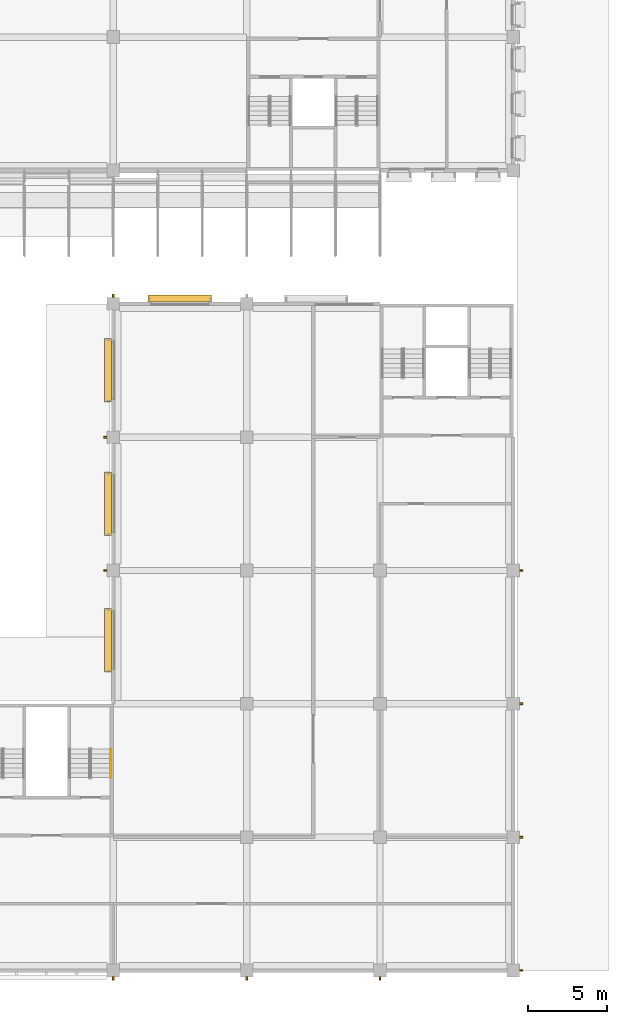
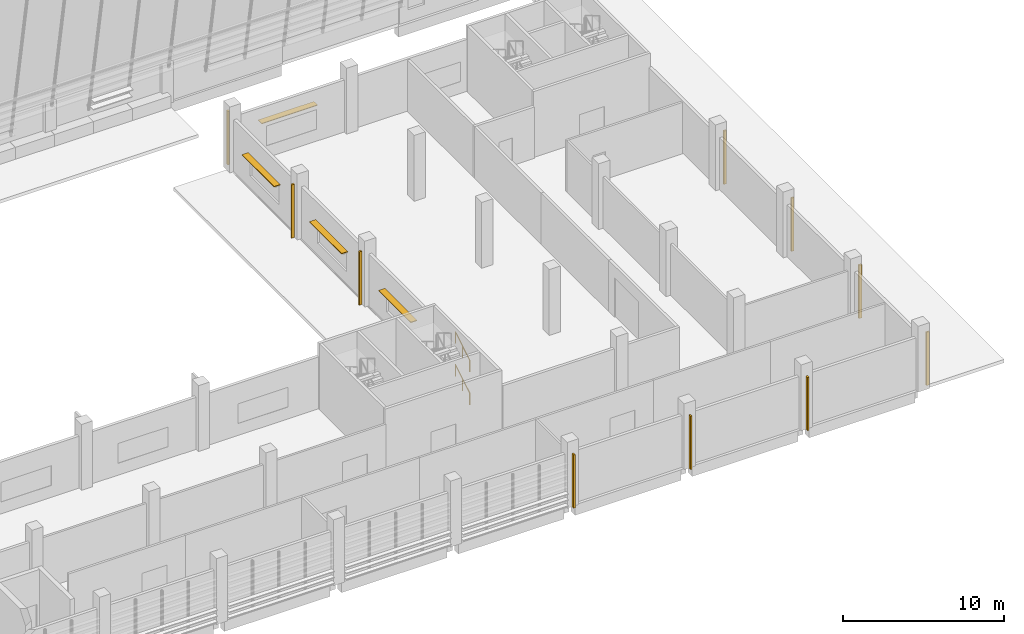
# One storey, part 93 of 101: 14 shading devices, 2 railings.
"""IFC4 building model written with IfcOpenShell, lengths in metres."""

from ifc_helpers import new_model, si_unit, direction, frame, origin, origin_2d, place, context, subcontext, project, spatial, rectangle, circle, extrude, material, material_profile, profile_set, type_object, element, save


model = new_model("IFC4")

# Units and contexts
model_context = context("Model", 3, precision=1e-05, world=origin(), true_north=direction((0.0, 1.0)))
body_context = subcontext(model_context, "Body", "Model", "MODEL_VIEW")
ifc_project = project(units=[si_unit("LENGTHUNIT", "METRE"), si_unit("AREAUNIT", "SQUARE_METRE"), si_unit("VOLUMEUNIT", "CUBIC_METRE"), si_unit("PLANEANGLEUNIT", "RADIAN"), si_unit("MASSUNIT", "GRAM", prefix="KILO")], contexts=[model_context])

# Site, building, storey
site_placement = place(None, origin())
site = spatial("IfcSite", under=ifc_project, at=site_placement, CompositionType="ELEMENT")
building_placement = place(site_placement, origin())
building = spatial("IfcBuilding", under=site, at=building_placement, Name="Almond Square Museum", CompositionType="ELEMENT")
storey_placement = place(building_placement, frame((0.0, 0.0, 5.5)))
storey = spatial("IfcBuildingStorey", under=building, at=storey_placement, Name="L01", CompositionType="ELEMENT", Elevation=5.5)

# Railings
ifc_material_1 = material(Name="Stainless steel", Category="steel")
railing_type = type_object("IfcRailingType", Name="Stair handrail 900 steel", PredefinedType="HANDRAIL", material=ifc_material_1)
for number, where, name in (
    (1, (131.844970703125, 12.14990234375, 0.178466796875), "L01 ST-32 stair handrail 1"),
    (2, (131.844970703125, 12.14990234375, 2.678466796875), "L01 ST-32 stair handrail 3"),
):
    element("IfcRailing", number, at=place(storey_placement, frame(where)), inside=storey, type_object=railing_type, Name=name, PredefinedType="HANDRAIL", context=body_context, shape_type="SweptSolid", body=[
        extrude(circle(Radius=0.02392578125, at=origin_2d()), frame((0.0, 0.0, 0.8759765625), z_axis=(0.0, 0.859277029364, 0.511510495305), x_axis=(-1.0, 0.0, 0.0)), (0.0, 0.0, 1.0), 2.0947265625),
        extrude(circle(Radius=0.02099609375, at=origin_2d()), origin(), (0.0, 0.0, 1.0), 0.851806640625),
        extrude(circle(Radius=0.02099609375, at=origin_2d()), frame((0.0, 0.89990234375, 0.53564453125)), (0.0, 0.0, 1.0), 0.851806640625),
        extrude(circle(Radius=0.02099609375, at=origin_2d()), frame((0.0, 1.800048828125, 1.071533203125)), (0.0, 0.0, 1.0), 0.851806640625),
    ])

# Shading devices
ifc_material_2 = material(Name="Anodised aluminium", Category="aluminium")
ifc_material_profile_1 = material_profile(ifc_material_2, rectangle(XDim=0.449951171875, YDim=0.050048828125, at=origin_2d()))
ifc_profile_set_1 = profile_set([ifc_material_profile_1], Name="Anodised aluminium")
shading_device_type_1 = type_object("IfcShadingDeviceType", Name="Sun-shade blade 450 x 50", PredefinedType="USERDEFINED", material=ifc_profile_set_1)
for number, where, z_axis, x_axis, name in (
    (3, (134.199951171875, 42.3330078125, 2.52001953125), (1.0, 0.0, 0.0), (0.0, 1.0, 0.0), "Sun-shade blade"),
    (4, (131.6669921875, 35.800048828125, 2.52001953125), (0.0, 1.0, 0.0), (-1.0, 0.0, 0.0), "Sun-shade blade"),
    (5, (131.6669921875, 27.39990234375, 2.52001953125), (0.0, 1.0, 0.0), (-1.0, 0.0, 0.0), "Sun-shade blade"),
    (6, (131.6669921875, 18.800048828125, 2.52001953125), (0.0, 1.0, 0.0), (-1.0, 0.0, 0.0), "Sun-shade blade"),
):
    element("IfcShadingDevice", number, at=place(storey_placement, frame(where, z_axis=z_axis, x_axis=x_axis)), inside=storey, type_object=shading_device_type_1, Name=name, ObjectType="LOUVRE", PredefinedType="USERDEFINED", context=body_context, shape_type="SweptSolid", body=[
        extrude(rectangle(XDim=0.449951171875, YDim=0.050048828125, at=origin_2d()), origin(), (0.0, 0.0, 1.0), 4.0),
    ])
ifc_material_3 = material(Name="Anodised aluminium", Category="aluminium")
ifc_material_profile_2 = material_profile(ifc_material_3, rectangle(XDim=0.199951171875, YDim=0.1201171875, at=origin_2d()))
ifc_profile_set_2 = profile_set([ifc_material_profile_2], Name="Anodised aluminium")
shading_device_type_2 = type_object("IfcShadingDeviceType", Name="Vertical aluminium fin 200 x 120", PredefinedType="USERDEFINED", material=ifc_profile_set_2)
for number, where, z_axis, x_axis, name in (
    (7, (132.0, -0.498046875, 0.0), (0.0, 0.0, 1.0), (0.0, -1.0, 0.0), "Vertical fin V5E L01 S01"),
    (8, (140.39990234375, -0.498046875, 0.0), (0.0, 0.0, 1.0), (0.0, -1.0, 0.0), "Vertical fin V5E L01 S02"),
    (9, (148.800048828125, -0.498046875, 0.0), (0.0, 0.0, 1.0), (0.0, -1.0, 0.0), "Vertical fin V5E L01 S03"),
    (10, (157.697998046875, 0.0, 0.0), (0.0, 0.0, 1.0), (1.0, 0.0, 0.0), "Vertical fin V5E L01 E01"),
    (11, (157.697998046875, 8.39990234375, 0.0), (0.0, 0.0, 1.0), (1.0, 0.0, 0.0), "Vertical fin V5E L01 E02"),
    (12, (157.697998046875, 16.800048828125, 0.0), (0.0, 0.0, 1.0), (1.0, 0.0, 0.0), "Vertical fin V5E L01 E03"),
    (13, (157.697998046875, 25.199951171875, 0.0), (0.0, 0.0, 1.0), (1.0, 0.0, 0.0), "Vertical fin V5E L01 E04"),
    (14, (132.0, 42.498046875, 0.0), (0.0, 0.0, 1.0), (0.0, 1.0, 0.0), "Vertical fin V5E L01 N02"),
    (15, (131.501953125, 33.60009765625, 0.0), (0.0, 0.0, 1.0), (-1.0, 0.0, 0.0), "Vertical fin V5E L01 W01"),
    (16, (131.501953125, 25.199951171875, 0.0), (0.0, 0.0, 1.0), (-1.0, 0.0, 0.0), "Vertical fin V5E L01 W02"),
):
    element("IfcShadingDevice", number, at=place(storey_placement, frame(where, z_axis=z_axis, x_axis=x_axis)), inside=storey, type_object=shading_device_type_2, Name=name, ObjectType="FIN", PredefinedType="USERDEFINED", context=body_context, shape_type="SweptSolid", body=[
        extrude(rectangle(XDim=0.199951171875, YDim=0.1201171875, at=origin_2d()), origin(), (0.0, 0.0, 1.0), 4.050048828125),
    ])

save(model, "model.ifc")
